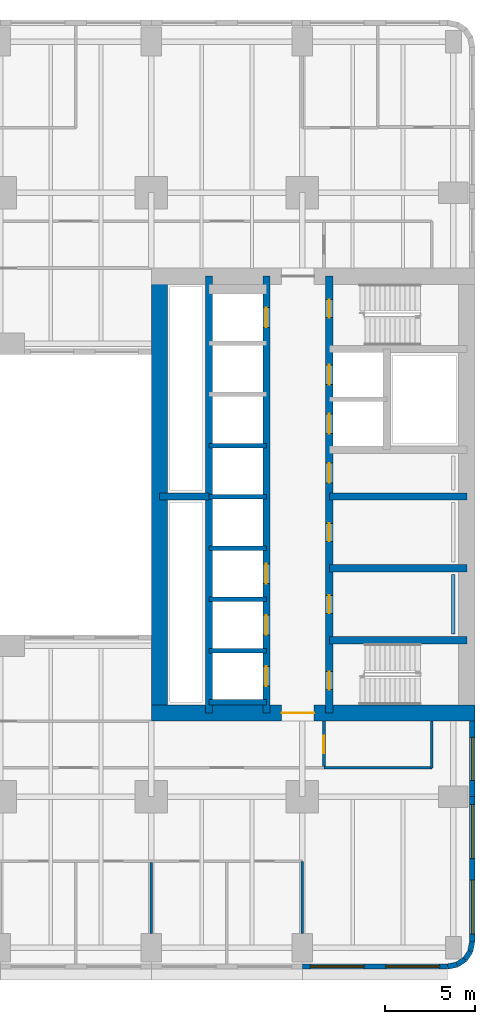
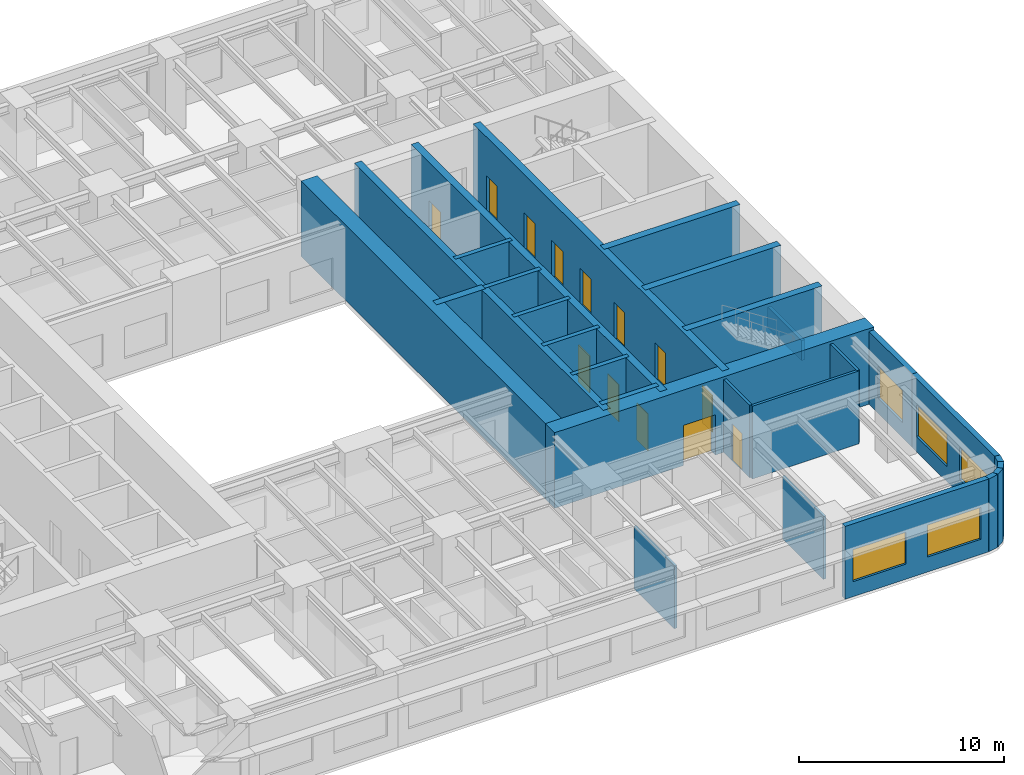
# One storey, part 5 of 12: 28 walls, 13 doors, 5 windows, 18 openings.
"""IFC4 building model written with IfcOpenShell, lengths in metres."""

from ifc_helpers import new_model, si_unit, direction, frame, frame_2d, origin, place, context, subcontext, project, spatial, rectangle, extrude, material, layer, layer_set, type_object, element, fill, save


model = new_model("IFC4")

# Units and contexts
model_context = context("Model", 3, precision=1e-05, world=origin(), true_north=direction((0.0, 1.0)))
body_context = subcontext(model_context, "Body", "Model", "MODEL_VIEW")
ifc_project = project(units=[si_unit("LENGTHUNIT", "METRE"), si_unit("AREAUNIT", "SQUARE_METRE"), si_unit("VOLUMEUNIT", "CUBIC_METRE"), si_unit("PLANEANGLEUNIT", "RADIAN"), si_unit("MASSUNIT", "GRAM", prefix="KILO")], contexts=[model_context])

# Site, building, storey
site_placement = place(None, origin())
site = spatial("IfcSite", under=ifc_project, at=site_placement, CompositionType="ELEMENT")
building_placement = place(site_placement, origin())
building = spatial("IfcBuilding", under=site, at=building_placement, Name="Claustro Exchange Tower", CompositionType="ELEMENT")
storey_placement = place(building_placement, frame((0.0, 0.0, 68.39990234375)))
storey = spatial("IfcBuildingStorey", under=building, at=storey_placement, Name="L15", CompositionType="ELEMENT", Elevation=68.39990234375)

# Walls
ifc_material_1 = material(Name="Gypsum board on steel studs", Category="steel")
ifc_layer_1 = layer(ifc_material_1, 0.14990234375)
ifc_layer_set_1 = layer_set([ifc_layer_1], Name="Gypsum board on steel studs")
wall_type_1 = type_object("IfcWallType", Name="P1 150 plasterboard partition", PredefinedType="PARTITIONING", material=ifc_layer_set_1)
wall_1_placement = place(storey_placement, frame((33.60009765625, 0.799072265625, 0.0), z_axis=(0.0, 0.0, 1.0), x_axis=(0.0, 1.0, 0.0)))
element("IfcWall", 1, at=wall_1_placement, inside=storey, type_object=wall_type_1, Name="Partition P1 L15", PredefinedType="PARTITIONING", context=body_context, shape_type="SweptSolid", body=[
    extrude(rectangle(XDim=3.927001953125, YDim=0.14990234375, at=frame_2d((1.96337890625, 0.0))), origin(), (0.0, 0.0, 1.0), 3.739990234375),
])
wall_2_placement = place(storey_placement, frame((42.0, 0.799072265625, 0.0), z_axis=(0.0, 0.0, 1.0), x_axis=(0.0, 1.0, 0.0)))
element("IfcWall", 2, at=wall_2_placement, inside=storey, type_object=wall_type_1, Name="Partition P1 L15", PredefinedType="PARTITIONING", context=body_context, shape_type="SweptSolid", body=[
    extrude(rectangle(XDim=4.0009765625, YDim=0.14990234375, at=frame_2d((2.00048828125, 0.0))), origin(), (0.0, 0.0, 1.0), 3.739990234375),
])

# Wall, opening, door
wall_3_placement = place(storey_placement, frame((43.199951171875, 10.073974609375, 0.0), z_axis=(0.0, 0.0, 1.0), x_axis=(0.0, 1.0, 0.0)))
wall_3 = element("IfcWall", 3, at=wall_3_placement, inside=storey, type_object=wall_type_1, Name="Partition P1 L15", PredefinedType="PARTITIONING", context=body_context, shape_type="SweptSolid", body=[
    extrude(rectangle(XDim=2.528076171875, YDim=0.14990234375, at=frame_2d((1.26416015625, 0.0))), origin(), (0.0, 0.0, 1.0), 4.340087890625),
])
opening_1_placement = place(wall_3_placement, frame((0.72607421875, 0.0, 0.0)))
opening_1 = element("IfcOpeningElement", 4, at=opening_1_placement, cuts=wall_3, Name="Opening D1", PredefinedType="OPENING", context=body_context, shape_type="SweptSolid", body=[
    extrude(rectangle(XDim=1.0, YDim=2.199951171875, at=frame_2d((0.5, 1.10009765625))), frame((0.0, 0.0849609375, 0.0), z_axis=(0.0, -1.0, 0.0), x_axis=(1.0, 0.0, 0.0)), (0.0, 0.0, 1.0), 0.169921875),
])
ifc_material_2 = material(Name="Timber door, oak veneer", Category="wood")
door_type_1 = type_object("IfcDoorType", Name="D1 1000 x 2200 single door", OperationType="SINGLE_SWING_LEFT", PredefinedType="DOOR", material=ifc_material_2)
door_1_placement = place(opening_1_placement, frame((1.0, 0.0, 0.0), z_axis=(0.0, 0.0, 1.0), x_axis=(-1.0, 0.0, 0.0)))
door_1 = element("IfcDoor", 5, at=door_1_placement, inside=storey, type_object=door_type_1, Name="Door D1 L15", OperationType="SINGLE_SWING_RIGHT", OverallHeight=2.199951171875, OverallWidth=1.0, PredefinedType="DOOR", context=body_context, shape_type="SweptSolid", body=[
    extrude(rectangle(XDim=1.0, YDim=2.199951171875, at=frame_2d((0.5, 1.10009765625))), frame((0.0, 0.02490234375, 0.0), z_axis=(0.0, -1.0, 0.0), x_axis=(1.0, 0.0, 0.0)), (0.0, 0.0, 1.0), 0.050048828125),
])
fill(opening_1, door_1)

# Walls
wall_4_placement = place(storey_placement, frame((43.197998046875, 10.0, 0.0), z_axis=(0.0, 0.0, 1.0), x_axis=(1.0, 0.0, 0.0)))
element("IfcWall", 6, at=wall_4_placement, inside=storey, type_object=wall_type_1, Name="Partition P1 L15", PredefinedType="PARTITIONING", context=body_context, shape_type="SweptSolid", body=[
    extrude(rectangle(XDim=6.001953125, YDim=0.14990234375, at=frame_2d((3.0009765625, 0.0))), origin(), (0.0, 0.0, 1.0), 4.340087890625),
])
wall_5_placement = place(storey_placement, frame((49.199951171875, 10.0, 0.0), z_axis=(0.0, 0.0, 1.0), x_axis=(0.0, 1.0, 0.0)))
element("IfcWall", 7, at=wall_5_placement, inside=storey, type_object=wall_type_1, Name="Partition P1 L15", PredefinedType="PARTITIONING", context=body_context, shape_type="SweptSolid", body=[
    extrude(rectangle(XDim=2.60205078125, YDim=0.14990234375, at=frame_2d((1.301025390625, 0.0))), origin(), (0.0, 0.0, 1.0), 4.340087890625),
])

# Wall, openings, windows
ifc_material_3 = material(Name="Concrete HA-40 (C40/50), precast, white cement, acid-etched", Category="concrete")
ifc_layer_2 = layer(ifc_material_3, 0.300048828125)
ifc_layer_set_2 = layer_set([ifc_layer_2], Name="Concrete HA-40 (C40/50), precast, white cement, acid-etched")
wall_type_2 = type_object("IfcWallType", Name="PC1 300 precast concrete pier panel", PredefinedType="SOLIDWALL", material=ifc_layer_set_2)
wall_6_placement = place(storey_placement, frame((50.085205078125, -1.050048828125, 0.0), z_axis=(0.0, 0.0, 1.0), x_axis=(-1.0, 0.0, 0.0)))
wall_6 = element("IfcWall", 8, at=wall_6_placement, inside=storey, type_object=wall_type_2, Name="Precast pier panel PC1 L15", PredefinedType="SOLIDWALL", context=body_context, shape_type="SweptSolid", body=[
    extrude(rectangle(XDim=8.085205078125, YDim=0.300048828125, at=frame_2d((4.04248046875, 0.0))), origin(), (0.0, 0.0, 1.0), 4.340087890625),
])
opening_2_placement = place(wall_6_placement, frame((0.442626953125, 0.0, 0.89990234375)))
opening_2 = element("IfcOpeningElement", 9, at=opening_2_placement, cuts=wall_6, Name="Opening W1", PredefinedType="OPENING", context=body_context, shape_type="SweptSolid", body=[
    extrude(rectangle(XDim=3.0, YDim=1.89990234375, at=frame_2d((1.5, 0.949951171875))), frame((0.0, 0.159912109375, 0.0), z_axis=(0.0, -1.0, 0.0), x_axis=(1.0, 0.0, 0.0)), (0.0, 0.0, 1.0), 0.320068359375),
])
opening_3_placement = place(wall_6_placement, frame((4.642578125, 0.0, 0.89990234375)))
opening_3 = element("IfcOpeningElement", 10, at=opening_3_placement, cuts=wall_6, Name="Opening W1", PredefinedType="OPENING", context=body_context, shape_type="SweptSolid", body=[
    extrude(rectangle(XDim=3.0, YDim=1.89990234375, at=frame_2d((1.5, 0.949951171875))), frame((0.0, 0.159912109375, 0.0), z_axis=(0.0, -1.0, 0.0), x_axis=(1.0, 0.0, 0.0)), (0.0, 0.0, 1.0), 0.320068359375),
])
ifc_material_4 = material(Name="Aluminium frame, clear double glazing", Category="aluminium")
window_type_1 = type_object("IfcWindowType", Name="W1 3000 x 1900 window", PartitioningType="SINGLE_PANEL", PredefinedType="WINDOW", material=ifc_material_4)
window_1_placement = place(opening_2_placement, origin())
window_1 = element("IfcWindow", 11, at=window_1_placement, inside=storey, type_object=window_type_1, Name="Window W1 L15", OverallHeight=1.89990234375, OverallWidth=3.0, PartitioningType="SINGLE_PANEL", PredefinedType="WINDOW", context=body_context, shape_type="SweptSolid", body=[
    extrude(rectangle(XDim=3.0, YDim=1.89990234375, at=frame_2d((1.5, 0.949951171875))), frame((0.0, 0.030029296875, 0.0), z_axis=(0.0, -1.0, 0.0), x_axis=(1.0, 0.0, 0.0)), (0.0, 0.0, 1.0), 0.06005859375),
])
fill(opening_2, window_1)
window_2_placement = place(opening_3_placement, origin())
window_2 = element("IfcWindow", 12, at=window_2_placement, inside=storey, type_object=window_type_1, Name="Window W1 L15", OverallHeight=1.89990234375, OverallWidth=3.0, PartitioningType="SINGLE_PANEL", PredefinedType="WINDOW", context=body_context, shape_type="SweptSolid", body=[
    extrude(rectangle(XDim=3.0, YDim=1.89990234375, at=frame_2d((1.5, 0.949951171875))), frame((0.0, 0.030029296875, 0.0), z_axis=(0.0, -1.0, 0.0), x_axis=(1.0, 0.0, 0.0)), (0.0, 0.0, 1.0), 0.06005859375),
])
fill(opening_3, window_2)

# Wall, opening, window
wall_7_placement = place(storey_placement, frame((51.449951171875, 12.60009765625, 0.0), z_axis=(0.0, 0.0, 1.0), x_axis=(0.0, -1.0, 0.0)))
wall_7 = element("IfcWall", 13, at=wall_7_placement, inside=storey, type_object=wall_type_2, Name="Precast pier panel PC1 L15", PredefinedType="SOLIDWALL", context=body_context, shape_type="SweptSolid", body=[
    extrude(rectangle(XDim=4.2001953125, YDim=0.300048828125, at=frame_2d((2.10009765625, 0.0))), origin(), (0.0, 0.0, 1.0), 4.340087890625),
])
opening_4_placement = place(wall_7_placement, frame((0.89990234375, 0.0, 0.89990234375)))
opening_4 = element("IfcOpeningElement", 14, at=opening_4_placement, cuts=wall_7, Name="Opening W2", PredefinedType="OPENING", context=body_context, shape_type="SweptSolid", body=[
    extrude(rectangle(XDim=2.39990234375, YDim=1.89990234375, at=frame_2d((1.199951171875, 0.949951171875))), frame((0.0, 0.159912109375, 0.0), z_axis=(0.0, -1.0, 0.0), x_axis=(1.0, 0.0, 0.0)), (0.0, 0.0, 1.0), 0.320068359375),
])
ifc_material_5 = material(Name="Aluminium frame, clear double glazing", Category="aluminium")
window_type_2 = type_object("IfcWindowType", Name="W2 2400 x 1900 window", PartitioningType="SINGLE_PANEL", PredefinedType="WINDOW", material=ifc_material_5)
window_3_placement = place(opening_4_placement, origin())
window_3 = element("IfcWindow", 15, at=window_3_placement, inside=storey, type_object=window_type_2, Name="Window W2 L15", OverallHeight=1.89990234375, OverallWidth=2.39990234375, PartitioningType="SINGLE_PANEL", PredefinedType="WINDOW", context=body_context, shape_type="SweptSolid", body=[
    extrude(rectangle(XDim=2.39990234375, YDim=1.89990234375, at=frame_2d((1.199951171875, 0.949951171875))), frame((0.0, 0.030029296875, 0.0), z_axis=(0.0, -1.0, 0.0), x_axis=(1.0, 0.0, 0.0)), (0.0, 0.0, 1.0), 0.06005859375),
])
fill(opening_4, window_3)

# Wall, openings, windows
wall_8_placement = place(storey_placement, frame((51.449951171875, 8.39990234375, 0.0), z_axis=(0.0, 0.0, 1.0), x_axis=(0.0, -1.0, 0.0)))
wall_8 = element("IfcWall", 16, at=wall_8_placement, inside=storey, type_object=wall_type_2, Name="Precast pier panel PC1 L15", PredefinedType="SOLIDWALL", context=body_context, shape_type="SweptSolid", body=[
    extrude(rectangle(XDim=8.085205078125, YDim=0.300048828125, at=frame_2d((4.04248046875, 0.0))), origin(), (0.0, 0.0, 1.0), 4.340087890625),
])
opening_5_placement = place(wall_8_placement, frame((0.442626953125, 0.0, 0.89990234375)))
opening_5 = element("IfcOpeningElement", 17, at=opening_5_placement, cuts=wall_8, Name="Opening W1", PredefinedType="OPENING", context=body_context, shape_type="SweptSolid", body=[
    extrude(rectangle(XDim=3.0, YDim=1.89990234375, at=frame_2d((1.5, 0.949951171875))), frame((0.0, 0.159912109375, 0.0), z_axis=(0.0, -1.0, 0.0), x_axis=(1.0, 0.0, 0.0)), (0.0, 0.0, 1.0), 0.320068359375),
])
opening_6_placement = place(wall_8_placement, frame((4.642578125, 0.0, 0.89990234375)))
opening_6 = element("IfcOpeningElement", 18, at=opening_6_placement, cuts=wall_8, Name="Opening W1", PredefinedType="OPENING", context=body_context, shape_type="SweptSolid", body=[
    extrude(rectangle(XDim=3.0, YDim=1.89990234375, at=frame_2d((1.5, 0.949951171875))), frame((0.0, 0.159912109375, 0.0), z_axis=(0.0, -1.0, 0.0), x_axis=(1.0, 0.0, 0.0)), (0.0, 0.0, 1.0), 0.320068359375),
])
window_4_placement = place(opening_5_placement, origin())
window_4 = element("IfcWindow", 19, at=window_4_placement, inside=storey, type_object=window_type_1, Name="Window W1 L15", OverallHeight=1.89990234375, OverallWidth=3.0, PartitioningType="SINGLE_PANEL", PredefinedType="WINDOW", context=body_context, shape_type="SweptSolid", body=[
    extrude(rectangle(XDim=3.0, YDim=1.89990234375, at=frame_2d((1.5, 0.949951171875))), frame((0.0, 0.030029296875, 0.0), z_axis=(0.0, -1.0, 0.0), x_axis=(1.0, 0.0, 0.0)), (0.0, 0.0, 1.0), 0.06005859375),
])
fill(opening_5, window_4)
window_5_placement = place(opening_6_placement, origin())
window_5 = element("IfcWindow", 20, at=window_5_placement, inside=storey, type_object=window_type_1, Name="Window W1 L15", OverallHeight=1.89990234375, OverallWidth=3.0, PartitioningType="SINGLE_PANEL", PredefinedType="WINDOW", context=body_context, shape_type="SweptSolid", body=[
    extrude(rectangle(XDim=3.0, YDim=1.89990234375, at=frame_2d((1.5, 0.949951171875))), frame((0.0, 0.030029296875, 0.0), z_axis=(0.0, -1.0, 0.0), x_axis=(1.0, 0.0, 0.0)), (0.0, 0.0, 1.0), 0.06005859375),
])
fill(opening_6, window_5)

# Walls
wall_9_placement = place(storey_placement, frame((51.449951171875, 0.314697265625, 0.0), z_axis=(0.0, 0.0, 1.0), x_axis=(-0.195073962632, -0.980788534345, 0.0)))
element("IfcWall", 21, at=wall_9_placement, inside=storey, type_object=wall_type_2, Name="Precast pier panel PC1 L15", PredefinedType="SOLIDWALL", context=body_context, shape_type="SweptSolid", body=[
    extrude(rectangle(XDim=0.540771484375, YDim=0.300048828125, at=frame_2d((0.2705078125, 0.0))), origin(), (0.0, 0.0, 1.0), 4.340087890625),
])
for number, where, z_axis, x_axis, name in (
    (22, (51.344482421875, -0.215576171875, 0.0), (0.0, 0.0, 1.0), (-0.555557463938, -0.831478144188, 0.0), "Precast pier panel PC1 L15"),
    (23, (51.052490234375, -0.652587890625, 0.0), (0.0, 0.0, 1.0), (-0.831478144188, -0.555557463938, 0.0), "Precast pier panel PC1 L15"),
):
    element("IfcWall", number, at=place(storey_placement, frame(where, z_axis=z_axis, x_axis=x_axis)), inside=storey, type_object=wall_type_2, Name=name, PredefinedType="SOLIDWALL", context=body_context, shape_type="SweptSolid", body=[
        extrude(rectangle(XDim=0.525634765625, YDim=0.300048828125, at=frame_2d((0.2626953125, 0.0))), origin(), (0.0, 0.0, 1.0), 4.340087890625),
    ])
wall_10_placement = place(storey_placement, frame((50.615478515625, -0.944580078125, 0.0), z_axis=(0.0, 0.0, 1.0), x_axis=(-0.980788534345, -0.195073962632, 0.0)))
element("IfcWall", 24, at=wall_10_placement, inside=storey, type_object=wall_type_2, Name="Precast pier panel PC1 L15", PredefinedType="SOLIDWALL", context=body_context, shape_type="SweptSolid", body=[
    extrude(rectangle(XDim=0.540771484375, YDim=0.300048828125, at=frame_2d((0.2705078125, 0.0))), origin(), (0.0, 0.0, 1.0), 4.340087890625),
])
ifc_material_6 = material(Name="Gypsum board on steel studs, tiled", Category="steel")
ifc_layer_3 = layer(ifc_material_6, 0.199951171875)
ifc_layer_set_3 = layer_set([ifc_layer_3], Name="Gypsum board on steel studs, tiled")
wall_type_3 = type_object("IfcWallType", Name="PW1 200 WC duct wall", PredefinedType="PLUMBINGWALL", material=ifc_layer_set_3)
wall_11_placement = place(storey_placement, frame((50.39990234375, 17.449951171875, 0.0), z_axis=(0.0, 0.0, 1.0), x_axis=(0.0, 1.0, 0.0)))
element("IfcWall", 25, at=wall_11_placement, inside=storey, type_object=wall_type_3, Name="WC duct wall PW1 L15", PredefinedType="PLUMBINGWALL", context=body_context, shape_type="SweptSolid", body=[
    extrude(rectangle(XDim=3.300048828125, YDim=0.199951171875, at=frame_2d((1.64990234375, 0.0))), origin(), (0.0, 0.0, 1.0), 1.2001953125),
])

# Wall, opening, door
ifc_material_7 = material(Name="Concrete HA-70 (C70/85)", Category="concrete")
ifc_layer_4 = layer(ifc_material_7, 0.89990234375)
ifc_layer_set_4 = layer_set([ifc_layer_4], Name="Concrete HA-70 (C70/85)")
wall_type_4 = type_object("IfcWallType", Name="SW1 900 core shear wall", PredefinedType="SHEAR", material=ifc_layer_set_4)
wall_12_placement = place(storey_placement, frame((33.60009765625, 13.050048828125, 0.0), z_axis=(0.0, 0.0, 1.0), x_axis=(1.0, 0.0, 0.0)))
wall_12 = element("IfcWall", 26, at=wall_12_placement, inside=storey, type_object=wall_type_4, Name="Core wall SW1 E core S face L15", PredefinedType="SHEAR", context=body_context, shape_type="SweptSolid", body=[
    extrude(rectangle(XDim=18.0, YDim=0.89990234375, at=frame_2d((9.0, 0.0))), origin(), (0.0, 0.0, 1.0), 4.5),
])
opening_7_placement = place(wall_12_placement, frame((7.25, 0.0, 0.0)))
opening_7 = element("IfcOpeningElement", 27, at=opening_7_placement, cuts=wall_12, Name="Opening D3", PredefinedType="OPENING", context=body_context, shape_type="SweptSolid", body=[
    extrude(rectangle(XDim=1.800048828125, YDim=2.39990234375, at=frame_2d((0.89990234375, 1.199951171875))), frame((0.0, 0.4599609375, 0.0), z_axis=(0.0, -1.0, 0.0), x_axis=(1.0, 0.0, 0.0)), (0.0, 0.0, 1.0), 0.919921875),
])
ifc_material_8 = material(Name="Steel fire door, painted", Category="steel")
door_type_2 = type_object("IfcDoorType", Name="D3 1800 x 2400 fire-rated lobby double door", OperationType="DOUBLE_DOOR_SINGLE_SWING", PredefinedType="DOOR", material=ifc_material_8)
door_2_placement = place(opening_7_placement, origin())
door_2 = element("IfcDoor", 28, at=door_2_placement, inside=storey, type_object=door_type_2, Name="Lift lobby door D3 L15", OperationType="DOUBLE_DOOR_SINGLE_SWING", OverallHeight=2.39990234375, OverallWidth=1.800048828125, PredefinedType="DOOR", context=body_context, shape_type="SweptSolid", body=[
    extrude(rectangle(XDim=1.800048828125, YDim=2.39990234375, at=frame_2d((0.89990234375, 1.199951171875))), frame((0.0, 0.02490234375, 0.0), z_axis=(0.0, -1.0, 0.0), x_axis=(1.0, 0.0, 0.0)), (0.0, 0.0, 1.0), 0.050048828125),
])
fill(opening_7, door_2)

# Wall
ifc_material_9 = material(Name="Concrete HA-70 (C70/85)", Category="concrete")
ifc_layer_5 = layer(ifc_material_9, 0.89990234375)
ifc_layer_set_5 = layer_set([ifc_layer_5], Name="Concrete HA-70 (C70/85)")
wall_type_5 = type_object("IfcWallType", Name="SW1X 900 exposed core shear wall, board-marked face", PredefinedType="SHEAR", material=ifc_layer_set_5)
wall_13_placement = place(storey_placement, frame((34.050048828125, 13.050048828125, 0.0), z_axis=(0.0, 0.0, 1.0), x_axis=(0.0, 1.0, 0.0)))
element("IfcWall", 29, at=wall_13_placement, inside=storey, type_object=wall_type_5, Name="Core wall SW1X E core W face L15", PredefinedType="SHEAR", context=body_context, shape_type="SweptSolid", body=[
    extrude(rectangle(XDim=24.300048828125, YDim=0.89990234375, at=frame_2d((12.14990234375, 0.0))), origin(), (0.0, 0.0, 1.0), 4.5),
])

# Wall, openings, doors
ifc_material_10 = material(Name="Concrete HA-50 (C50/60)", Category="concrete")
ifc_layer_6 = layer(ifc_material_10, 0.39990234375)
ifc_layer_set_6 = layer_set([ifc_layer_6], Name="Concrete HA-50 (C50/60)")
wall_type_6 = type_object("IfcWallType", Name="SW4 400 internal core wall", PredefinedType="SHEAR", material=ifc_layer_set_6)
wall_14_placement = place(storey_placement, frame((43.5, 13.050048828125, 0.0), z_axis=(0.0, 0.0, 1.0), x_axis=(0.0, 1.0, 0.0)))
wall_14 = element("IfcWall", 30, at=wall_14_placement, inside=storey, type_object=wall_type_6, Name="Internal core wall SW4 E core L15", PredefinedType="SHEAR", context=body_context, shape_type="SweptSolid", body=[
    extrude(rectangle(XDim=24.300048828125, YDim=0.39990234375, at=frame_2d((12.14990234375, 0.0))), origin(), (0.0, 0.0, 1.0), 4.5),
])
opening_8_placement = place(wall_14_placement, frame((1.300048828125, 0.0, 0.0)))
opening_8 = element("IfcOpeningElement", 31, at=opening_8_placement, cuts=wall_14, Name="Opening D4", PredefinedType="OPENING", context=body_context, shape_type="SweptSolid", body=[
    extrude(rectangle(XDim=1.0, YDim=2.199951171875, at=frame_2d((0.5, 1.10009765625))), frame((0.0, 0.2099609375, 0.0), z_axis=(0.0, -1.0, 0.0), x_axis=(1.0, 0.0, 0.0)), (0.0, 0.0, 1.0), 0.419921875),
])
opening_9_placement = place(wall_14_placement, frame((22.0, 0.0, 0.0)))
opening_9 = element("IfcOpeningElement", 32, at=opening_9_placement, cuts=wall_14, Name="Opening D4", PredefinedType="OPENING", context=body_context, shape_type="SweptSolid", body=[
    extrude(rectangle(XDim=1.0, YDim=2.199951171875, at=frame_2d((0.5, 1.10009765625))), frame((0.0, 0.2099609375, 0.0), z_axis=(0.0, -1.0, 0.0), x_axis=(1.0, 0.0, 0.0)), (0.0, 0.0, 1.0), 0.419921875),
])
opening_10_placement = place(wall_14_placement, frame((5.550048828125, 0.0, 0.0)))
opening_10 = element("IfcOpeningElement", 33, at=opening_10_placement, cuts=wall_14, Name="Opening D1", PredefinedType="OPENING", context=body_context, shape_type="SweptSolid", body=[
    extrude(rectangle(XDim=1.0, YDim=2.199951171875, at=frame_2d((0.5, 1.10009765625))), frame((0.0, 0.2099609375, 0.0), z_axis=(0.0, -1.0, 0.0), x_axis=(1.0, 0.0, 0.0)), (0.0, 0.0, 1.0), 0.419921875),
])
opening_11_placement = place(wall_14_placement, frame((9.550048828125, 0.0, 0.0)))
opening_11 = element("IfcOpeningElement", 34, at=opening_11_placement, cuts=wall_14, Name="Opening D1", PredefinedType="OPENING", context=body_context, shape_type="SweptSolid", body=[
    extrude(rectangle(XDim=1.0, YDim=2.199951171875, at=frame_2d((0.5, 1.10009765625))), frame((0.0, 0.2099609375, 0.0), z_axis=(0.0, -1.0, 0.0), x_axis=(1.0, 0.0, 0.0)), (0.0, 0.0, 1.0), 0.419921875),
])
opening_12_placement = place(wall_14_placement, frame((12.800048828125, 0.0, 0.0)))
opening_12 = element("IfcOpeningElement", 35, at=opening_12_placement, cuts=wall_14, Name="Opening D10", PredefinedType="OPENING", context=body_context, shape_type="SweptSolid", body=[
    extrude(rectangle(XDim=1.10009765625, YDim=2.199951171875, at=frame_2d((0.550048828125, 1.10009765625))), frame((0.0, 0.2099609375, 0.0), z_axis=(0.0, -1.0, 0.0), x_axis=(1.0, 0.0, 0.0)), (0.0, 0.0, 1.0), 0.419921875),
])
opening_13_placement = place(wall_14_placement, frame((15.53759765625, 0.0, 0.0)))
opening_13 = element("IfcOpeningElement", 36, at=opening_13_placement, cuts=wall_14, Name="Opening LD", PredefinedType="OPENING", context=body_context, shape_type="SweptSolid", body=[
    extrude(rectangle(XDim=1.10009765625, YDim=2.199951171875, at=frame_2d((0.550048828125, 1.10009765625))), frame((0.0, 0.2099609375, 0.0), z_axis=(0.0, -1.0, 0.0), x_axis=(1.0, 0.0, 0.0)), (0.0, 0.0, 1.0), 0.419921875),
])
opening_14_placement = place(wall_14_placement, frame((18.262451171875, 0.0, 0.0)))
opening_14 = element("IfcOpeningElement", 37, at=opening_14_placement, cuts=wall_14, Name="Opening LD", PredefinedType="OPENING", context=body_context, shape_type="SweptSolid", body=[
    extrude(rectangle(XDim=1.10009765625, YDim=2.199951171875, at=frame_2d((0.550048828125, 1.10009765625))), frame((0.0, 0.2099609375, 0.0), z_axis=(0.0, -1.0, 0.0), x_axis=(1.0, 0.0, 0.0)), (0.0, 0.0, 1.0), 0.419921875),
])
door_3_placement = place(opening_10_placement, frame((1.0, 0.0, 0.0), z_axis=(0.0, 0.0, 1.0), x_axis=(-1.0, 0.0, 0.0)))
door_3 = element("IfcDoor", 38, at=door_3_placement, inside=storey, type_object=door_type_1, Name="Door D1 L15", OperationType="SINGLE_SWING_LEFT", OverallHeight=2.199951171875, OverallWidth=1.0, PredefinedType="DOOR", context=body_context, shape_type="SweptSolid", body=[
    extrude(rectangle(XDim=1.0, YDim=2.199951171875, at=frame_2d((0.5, 1.10009765625))), frame((0.0, 0.02490234375, 0.0), z_axis=(0.0, -1.0, 0.0), x_axis=(1.0, 0.0, 0.0)), (0.0, 0.0, 1.0), 0.050048828125),
])
fill(opening_10, door_3)
door_4_placement = place(opening_11_placement, frame((1.0, 0.0, 0.0), z_axis=(0.0, 0.0, 1.0), x_axis=(-1.0, 0.0, 0.0)))
door_4 = element("IfcDoor", 39, at=door_4_placement, inside=storey, type_object=door_type_1, Name="Door D1 L15", OperationType="SINGLE_SWING_LEFT", OverallHeight=2.199951171875, OverallWidth=1.0, PredefinedType="DOOR", context=body_context, shape_type="SweptSolid", body=[
    extrude(rectangle(XDim=1.0, YDim=2.199951171875, at=frame_2d((0.5, 1.10009765625))), frame((0.0, 0.02490234375, 0.0), z_axis=(0.0, -1.0, 0.0), x_axis=(1.0, 0.0, 0.0)), (0.0, 0.0, 1.0), 0.050048828125),
])
fill(opening_11, door_4)
ifc_material_11 = material(Name="Timber door, oak veneer", Category="wood")
door_type_3 = type_object("IfcDoorType", Name="D10 1100 x 2200 accessible WC door", OperationType="SINGLE_SWING_LEFT", PredefinedType="DOOR", material=ifc_material_11)
door_5_placement = place(opening_12_placement, origin())
door_5 = element("IfcDoor", 40, at=door_5_placement, inside=storey, type_object=door_type_3, Name="Accessible WC door D10 L15", OperationType="SINGLE_SWING_RIGHT", OverallHeight=2.199951171875, OverallWidth=1.10009765625, PredefinedType="DOOR", context=body_context, shape_type="SweptSolid", body=[
    extrude(rectangle(XDim=1.10009765625, YDim=2.199951171875, at=frame_2d((0.550048828125, 1.10009765625))), frame((0.0, 0.02490234375, 0.0), z_axis=(0.0, -1.0, 0.0), x_axis=(1.0, 0.0, 0.0)), (0.0, 0.0, 1.0), 0.050048828125),
])
fill(opening_12, door_5)
ifc_material_12 = material(Name="Steel fire door, painted", Category="steel")
door_type_4 = type_object("IfcDoorType", Name="D4 1000 x 2200 fire-rated stair door", OperationType="SINGLE_SWING_LEFT", PredefinedType="DOOR", material=ifc_material_12)
door_6_placement = place(opening_8_placement, frame((1.0, 0.0, 0.0), z_axis=(0.0, 0.0, 1.0), x_axis=(-1.0, 0.0, 0.0)))
door_6 = element("IfcDoor", 41, at=door_6_placement, inside=storey, type_object=door_type_4, Name="Stair door D4 L15", OperationType="SINGLE_SWING_RIGHT", OverallHeight=2.199951171875, OverallWidth=1.0, PredefinedType="DOOR", context=body_context, shape_type="SweptSolid", body=[
    extrude(rectangle(XDim=1.0, YDim=2.199951171875, at=frame_2d((0.5, 1.10009765625))), frame((0.0, 0.02490234375, 0.0), z_axis=(0.0, -1.0, 0.0), x_axis=(1.0, 0.0, 0.0)), (0.0, 0.0, 1.0), 0.050048828125),
])
fill(opening_8, door_6)
door_7_placement = place(opening_9_placement, frame((1.0, 0.0, 0.0), z_axis=(0.0, 0.0, 1.0), x_axis=(-1.0, 0.0, 0.0)))
door_7 = element("IfcDoor", 42, at=door_7_placement, inside=storey, type_object=door_type_4, Name="Stair door D4 L15", OperationType="SINGLE_SWING_LEFT", OverallHeight=2.199951171875, OverallWidth=1.0, PredefinedType="DOOR", context=body_context, shape_type="SweptSolid", body=[
    extrude(rectangle(XDim=1.0, YDim=2.199951171875, at=frame_2d((0.5, 1.10009765625))), frame((0.0, 0.02490234375, 0.0), z_axis=(0.0, -1.0, 0.0), x_axis=(1.0, 0.0, 0.0)), (0.0, 0.0, 1.0), 0.050048828125),
])
fill(opening_9, door_7)
ifc_material_13 = material(Name="Stainless steel sliding door", Category="steel")
door_type_5 = type_object("IfcDoorType", Name="LD 1100 x 2200 lift landing door", OperationType="DOUBLE_DOOR_SLIDING", PredefinedType="DOOR", material=ifc_material_13)
door_8_placement = place(opening_13_placement, origin())
door_8 = element("IfcDoor", 43, at=door_8_placement, inside=storey, type_object=door_type_5, Name="Lift landing door LEE1 LD L15", OperationType="DOUBLE_DOOR_SLIDING", OverallHeight=2.199951171875, OverallWidth=1.10009765625, PredefinedType="DOOR", context=body_context, shape_type="SweptSolid", body=[
    extrude(rectangle(XDim=1.10009765625, YDim=2.199951171875, at=frame_2d((0.550048828125, 1.10009765625))), frame((0.0, 0.02490234375, 0.0), z_axis=(0.0, -1.0, 0.0), x_axis=(1.0, 0.0, 0.0)), (0.0, 0.0, 1.0), 0.050048828125),
])
fill(opening_13, door_8)
door_9_placement = place(opening_14_placement, origin())
door_9 = element("IfcDoor", 44, at=door_9_placement, inside=storey, type_object=door_type_5, Name="Lift landing door LEE2 LD L15", OperationType="DOUBLE_DOOR_SLIDING", OverallHeight=2.199951171875, OverallWidth=1.10009765625, PredefinedType="DOOR", context=body_context, shape_type="SweptSolid", body=[
    extrude(rectangle(XDim=1.10009765625, YDim=2.199951171875, at=frame_2d((0.550048828125, 1.10009765625))), frame((0.0, 0.02490234375, 0.0), z_axis=(0.0, -1.0, 0.0), x_axis=(1.0, 0.0, 0.0)), (0.0, 0.0, 1.0), 0.050048828125),
])
fill(opening_14, door_9)

wall_15_placement = place(storey_placement, frame((40.0, 13.050048828125, 0.0), z_axis=(0.0, 0.0, 1.0), x_axis=(0.0, 1.0, 0.0)))
wall_15 = element("IfcWall", 45, at=wall_15_placement, inside=storey, type_object=wall_type_6, Name="Internal core wall SW4 E core L15", PredefinedType="SHEAR", context=body_context, shape_type="SweptSolid", body=[
    extrude(rectangle(XDim=24.300048828125, YDim=0.39990234375, at=frame_2d((12.14990234375, 0.0))), origin(), (0.0, 0.0, 1.0), 4.5),
])
opening_15_placement = place(wall_15_placement, frame((1.5, 0.0, 0.0)))
opening_15 = element("IfcOpeningElement", 46, at=opening_15_placement, cuts=wall_15, Name="Opening LD", PredefinedType="OPENING", context=body_context, shape_type="SweptSolid", body=[
    extrude(rectangle(XDim=1.10009765625, YDim=2.199951171875, at=frame_2d((0.550048828125, 1.10009765625))), frame((0.0, 0.2099609375, 0.0), z_axis=(0.0, -1.0, 0.0), x_axis=(1.0, 0.0, 0.0)), (0.0, 0.0, 1.0), 0.419921875),
])
opening_16_placement = place(wall_15_placement, frame((4.35009765625, 0.0, 0.0)))
opening_16 = element("IfcOpeningElement", 47, at=opening_16_placement, cuts=wall_15, Name="Opening LD", PredefinedType="OPENING", context=body_context, shape_type="SweptSolid", body=[
    extrude(rectangle(XDim=1.10009765625, YDim=2.199951171875, at=frame_2d((0.550048828125, 1.10009765625))), frame((0.0, 0.2099609375, 0.0), z_axis=(0.0, -1.0, 0.0), x_axis=(1.0, 0.0, 0.0)), (0.0, 0.0, 1.0), 0.419921875),
])
opening_17_placement = place(wall_15_placement, frame((7.199951171875, 0.0, 0.0)))
opening_17 = element("IfcOpeningElement", 48, at=opening_17_placement, cuts=wall_15, Name="Opening LD", PredefinedType="OPENING", context=body_context, shape_type="SweptSolid", body=[
    extrude(rectangle(XDim=1.10009765625, YDim=2.199951171875, at=frame_2d((0.550048828125, 1.10009765625))), frame((0.0, 0.2099609375, 0.0), z_axis=(0.0, -1.0, 0.0), x_axis=(1.0, 0.0, 0.0)), (0.0, 0.0, 1.0), 0.419921875),
])
opening_18_placement = place(wall_15_placement, frame((21.449951171875, 0.0, 0.0)))
opening_18 = element("IfcOpeningElement", 49, at=opening_18_placement, cuts=wall_15, Name="Opening LD", PredefinedType="OPENING", context=body_context, shape_type="SweptSolid", body=[
    extrude(rectangle(XDim=1.10009765625, YDim=2.199951171875, at=frame_2d((0.550048828125, 1.10009765625))), frame((0.0, 0.2099609375, 0.0), z_axis=(0.0, -1.0, 0.0), x_axis=(1.0, 0.0, 0.0)), (0.0, 0.0, 1.0), 0.419921875),
])
door_10_placement = place(opening_15_placement, origin())
door_10 = element("IfcDoor", 50, at=door_10_placement, inside=storey, type_object=door_type_5, Name="Lift landing door LLE1 LD L15", OperationType="DOUBLE_DOOR_SLIDING", OverallHeight=2.199951171875, OverallWidth=1.10009765625, PredefinedType="DOOR", context=body_context, shape_type="SweptSolid", body=[
    extrude(rectangle(XDim=1.10009765625, YDim=2.199951171875, at=frame_2d((0.550048828125, 1.10009765625))), frame((0.0, 0.02490234375, 0.0), z_axis=(0.0, -1.0, 0.0), x_axis=(1.0, 0.0, 0.0)), (0.0, 0.0, 1.0), 0.050048828125),
])
fill(opening_15, door_10)
door_11_placement = place(opening_16_placement, origin())
door_11 = element("IfcDoor", 51, at=door_11_placement, inside=storey, type_object=door_type_5, Name="Lift landing door LLE2 LD L15", OperationType="DOUBLE_DOOR_SLIDING", OverallHeight=2.199951171875, OverallWidth=1.10009765625, PredefinedType="DOOR", context=body_context, shape_type="SweptSolid", body=[
    extrude(rectangle(XDim=1.10009765625, YDim=2.199951171875, at=frame_2d((0.550048828125, 1.10009765625))), frame((0.0, 0.02490234375, 0.0), z_axis=(0.0, -1.0, 0.0), x_axis=(1.0, 0.0, 0.0)), (0.0, 0.0, 1.0), 0.050048828125),
])
fill(opening_16, door_11)
door_12_placement = place(opening_17_placement, origin())
door_12 = element("IfcDoor", 52, at=door_12_placement, inside=storey, type_object=door_type_5, Name="Lift landing door LLE3 LD L15", OperationType="DOUBLE_DOOR_SLIDING", OverallHeight=2.199951171875, OverallWidth=1.10009765625, PredefinedType="DOOR", context=body_context, shape_type="SweptSolid", body=[
    extrude(rectangle(XDim=1.10009765625, YDim=2.199951171875, at=frame_2d((0.550048828125, 1.10009765625))), frame((0.0, 0.02490234375, 0.0), z_axis=(0.0, -1.0, 0.0), x_axis=(1.0, 0.0, 0.0)), (0.0, 0.0, 1.0), 0.050048828125),
])
fill(opening_17, door_12)
door_13_placement = place(opening_18_placement, origin())
door_13 = element("IfcDoor", 53, at=door_13_placement, inside=storey, type_object=door_type_5, Name="Lift landing door LSE1 LD L15", OperationType="DOUBLE_DOOR_SLIDING", OverallHeight=2.199951171875, OverallWidth=1.10009765625, PredefinedType="DOOR", context=body_context, shape_type="SweptSolid", body=[
    extrude(rectangle(XDim=1.10009765625, YDim=2.199951171875, at=frame_2d((0.550048828125, 1.10009765625))), frame((0.0, 0.02490234375, 0.0), z_axis=(0.0, -1.0, 0.0), x_axis=(1.0, 0.0, 0.0)), (0.0, 0.0, 1.0), 0.050048828125),
])
fill(opening_18, door_13)

# Walls
wall_16_placement = place(storey_placement, frame((36.800048828125, 13.050048828125, 0.0), z_axis=(0.0, 0.0, 1.0), x_axis=(0.0, 1.0, 0.0)))
element("IfcWall", 54, at=wall_16_placement, inside=storey, type_object=wall_type_6, Name="Internal core wall SW4 E core L15", PredefinedType="SHEAR", context=body_context, shape_type="SweptSolid", body=[
    extrude(rectangle(XDim=24.300048828125, YDim=0.39990234375, at=frame_2d((12.14990234375, 0.0))), origin(), (0.0, 0.0, 1.0), 4.5),
])
for number, where, z_axis, x_axis, name in (
    (55, (51.14990234375, 17.10009765625, 0.0), (0.0, 0.0, 1.0), (-1.0, 0.0, 0.0), "Internal core wall SW4 E core L15"),
    (56, (51.14990234375, 21.10009765625, 0.0), (0.0, 0.0, 1.0), (-1.0, 0.0, 0.0), "Internal core wall SW4 E core L15"),
    (57, (51.14990234375, 25.10009765625, 0.0), (0.0, 0.0, 1.0), (-1.0, 0.0, 0.0), "Internal core wall SW4 E core L15"),
):
    element("IfcWall", number, at=place(storey_placement, frame(where, z_axis=z_axis, x_axis=x_axis)), inside=storey, type_object=wall_type_6, Name=name, PredefinedType="SHEAR", context=body_context, shape_type="SweptSolid", body=[
        extrude(rectangle(XDim=7.64990234375, YDim=0.39990234375, at=frame_2d((3.824951171875, 0.0))), origin(), (0.0, 0.0, 1.0), 4.5),
    ])
wall_17_placement = place(storey_placement, frame((36.800048828125, 25.10009765625, 0.0), z_axis=(0.0, 0.0, 1.0), x_axis=(-1.0, 0.0, 0.0)))
element("IfcWall", 58, at=wall_17_placement, inside=storey, type_object=wall_type_6, Name="Internal core wall SW4 E core L15", PredefinedType="SHEAR", context=body_context, shape_type="SweptSolid", body=[
    extrude(rectangle(XDim=2.75, YDim=0.39990234375, at=frame_2d((1.375, 0.0))), origin(), (0.0, 0.0, 1.0), 4.5),
])
ifc_material_14 = material(Name="Concrete HA-50 (C50/60)", Category="concrete")
ifc_layer_7 = layer(ifc_material_14, 0.25)
ifc_layer_set_7 = layer_set([ifc_layer_7], Name="Concrete HA-50 (C50/60)")
wall_type_7 = type_object("IfcWallType", Name="SW5 250 lift shaft divider wall", PredefinedType="SHEAR", material=ifc_layer_set_7)
for number, where, z_axis, x_axis, name in (
    (59, (40.0, 16.52490234375, 0.0), (0.0, 0.0, 1.0), (-1.0, 0.0, 0.0), "Lift shaft wall E core L15"),
    (60, (40.0, 19.375, 0.0), (0.0, 0.0, 1.0), (-1.0, 0.0, 0.0), "Lift shaft wall E core L15"),
    (61, (40.0, 22.22509765625, 0.0), (0.0, 0.0, 1.0), (-1.0, 0.0, 0.0), "Lift shaft wall E core L15"),
    (62, (40.0, 25.074951171875, 0.0), (0.0, 0.0, 1.0), (-1.0, 0.0, 0.0), "Lift shaft wall E core L15"),
    (63, (40.0, 27.925048828125, 0.0), (0.0, 0.0, 1.0), (-1.0, 0.0, 0.0), "Lift shaft wall E core L15"),
):
    element("IfcWall", number, at=place(storey_placement, frame(where, z_axis=z_axis, x_axis=x_axis)), inside=storey, type_object=wall_type_7, Name=name, PredefinedType="SHEAR", context=body_context, shape_type="SweptSolid", body=[
        extrude(rectangle(XDim=3.199951171875, YDim=0.25, at=frame_2d((1.60009765625, 0.0))), origin(), (0.0, 0.0, 1.0), 4.5),
    ])
ifc_material_15 = material(Name="Concrete HA-50 (C50/60)", Category="concrete")
ifc_layer_8 = layer(ifc_material_15, 0.300048828125)
ifc_layer_set_8 = layer_set([ifc_layer_8], Name="Concrete HA-50 (C50/60)")
wall_type_8 = type_object("IfcWallType", Name="SW6A 300 lift shaft end wall", PredefinedType="SHEAR", material=ifc_layer_set_8)
wall_18_placement = place(storey_placement, frame((40.0, 13.64990234375, 0.0), z_axis=(0.0, 0.0, 1.0), x_axis=(-1.0, 0.0, 0.0)))
element("IfcWall", 64, at=wall_18_placement, inside=storey, type_object=wall_type_8, Name="Lift shaft wall E core L15", PredefinedType="SHEAR", context=body_context, shape_type="SweptSolid", body=[
    extrude(rectangle(XDim=3.199951171875, YDim=0.300048828125, at=frame_2d((1.60009765625, 0.0))), origin(), (0.0, 0.0, 1.0), 4.5),
])

save(model, "model.ifc")
